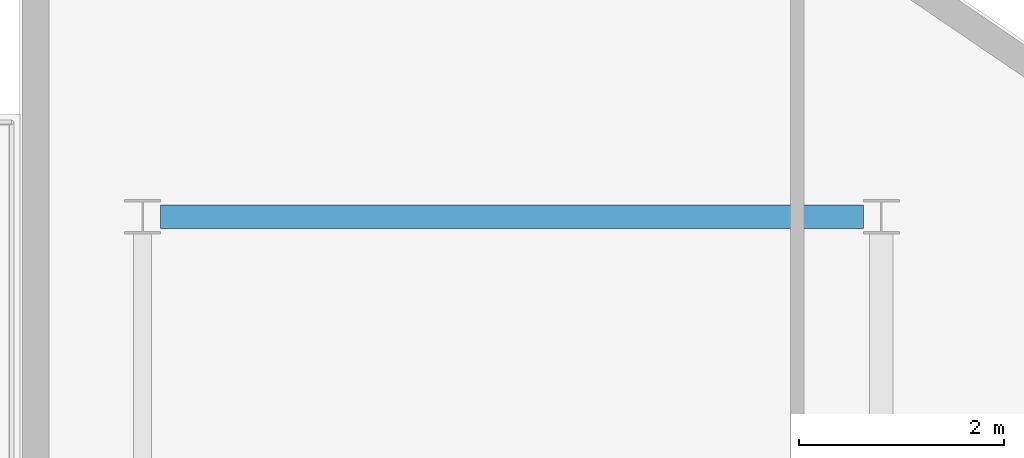
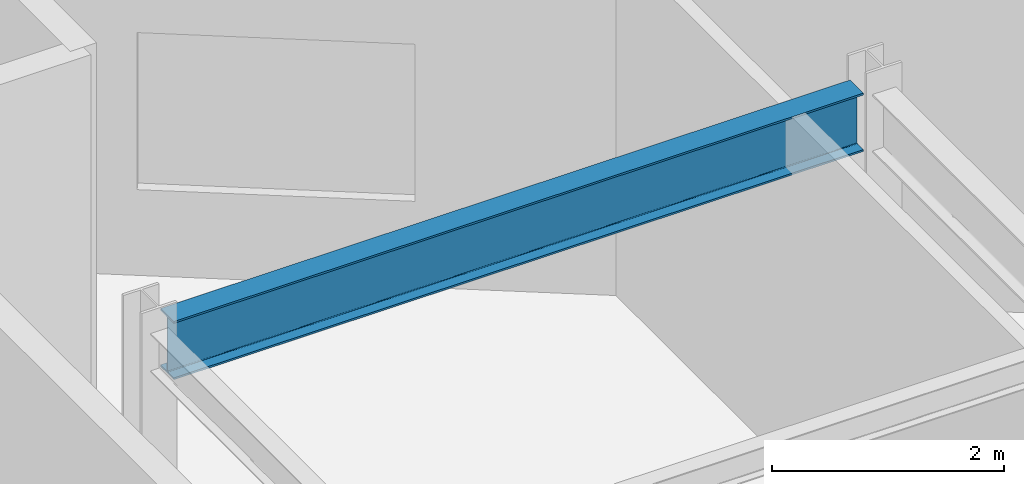
# One storey, part 9 of 21: 1 beam.
"""IFC4 building model written with IfcOpenShell, lengths in metres."""

from ifc_helpers import new_model, si_unit, direction, frame, origin, origin_2d, place, context, subcontext, project, spatial, i_section, extrude, material, material_profile, profile_set, type_object, element, save


model = new_model("IFC4")

# Units and contexts
model_context = context("Model", 3, precision=1e-05, world=origin(), true_north=direction((0.0, 1.0)))
body_context = subcontext(model_context, "Body", "Model", "MODEL_VIEW")
ifc_project = project(units=[si_unit("LENGTHUNIT", "METRE"), si_unit("AREAUNIT", "SQUARE_METRE"), si_unit("VOLUMEUNIT", "CUBIC_METRE"), si_unit("PLANEANGLEUNIT", "RADIAN"), si_unit("MASSUNIT", "GRAM", prefix="KILO")], contexts=[model_context])

# Site, building, storey
site_placement = place(None, origin())
site = spatial("IfcSite", under=ifc_project, at=site_placement, CompositionType="ELEMENT")
building_placement = place(site_placement, origin())
building = spatial("IfcBuilding", under=site, at=building_placement, Name="Varnakote Quay Hospital", CompositionType="ELEMENT")
storey_placement = place(building_placement, frame((0.0, 0.0, 42.25)))
storey = spatial("IfcBuildingStorey", under=building, at=storey_placement, Name="L10", CompositionType="ELEMENT", Elevation=42.25)

# Beam
ifc_material = material(Name="Structural steel AS/NZS 3679.1 Grade 350 L0 (fy 340 MPa)", Category="steel")
ifc_material_profile = material_profile(ifc_material, i_section(OverallWidth=0.22900390625, OverallDepth=0.612060546875, WebThickness=0.011962890625, FlangeThickness=0.01953125, FilletRadius=0.013916015625, at=origin_2d()), Name="610UB125")
ifc_profile_set = profile_set([ifc_material_profile], Name="Structural steel AS/NZS 3679.1 Grade 350 L0 (fy 340 MPa)")
beam_type = type_object("IfcBeamType", Name="BM-STL-610UB125", PredefinedType="BEAM", material=ifc_profile_set)
beam_placement = place(storey_placement, frame((1.375, 37.199951171875, 3.404052734375), z_axis=(1.0, 0.0, 0.0), x_axis=(0.0, 1.0, 0.0)))
element("IfcBeam", 1, at=beam_placement, inside=storey, type_object=beam_type, Name="L10 Primary Floor Beam", PredefinedType="BEAM", context=body_context, shape_type="SweptSolid", body=[
    extrude(i_section(OverallWidth=0.22900390625, OverallDepth=0.612060546875, WebThickness=0.011962890625, FlangeThickness=0.01953125, FilletRadius=0.013916015625, at=origin_2d()), origin(), (0.0, 0.0, 1.0), 6.85009765625),
])

save(model, "model.ifc")
